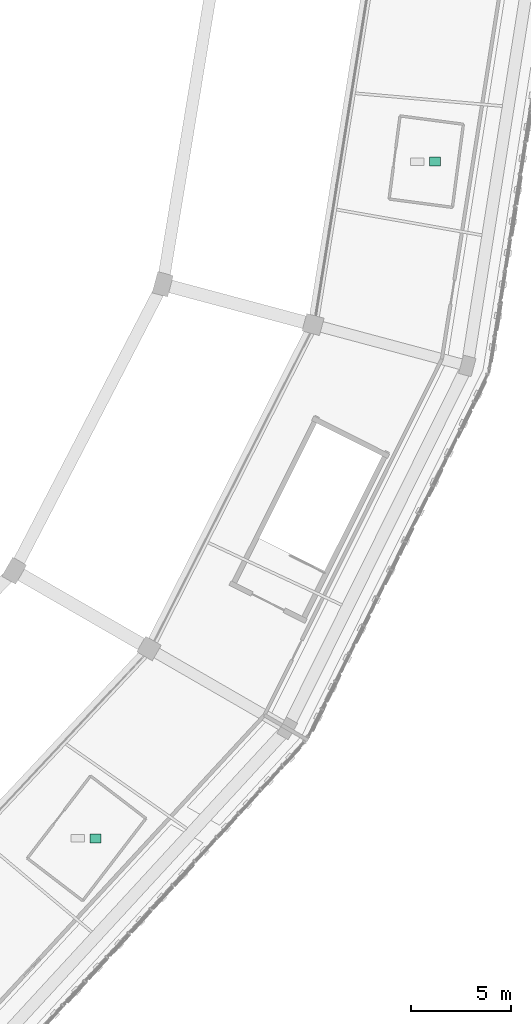
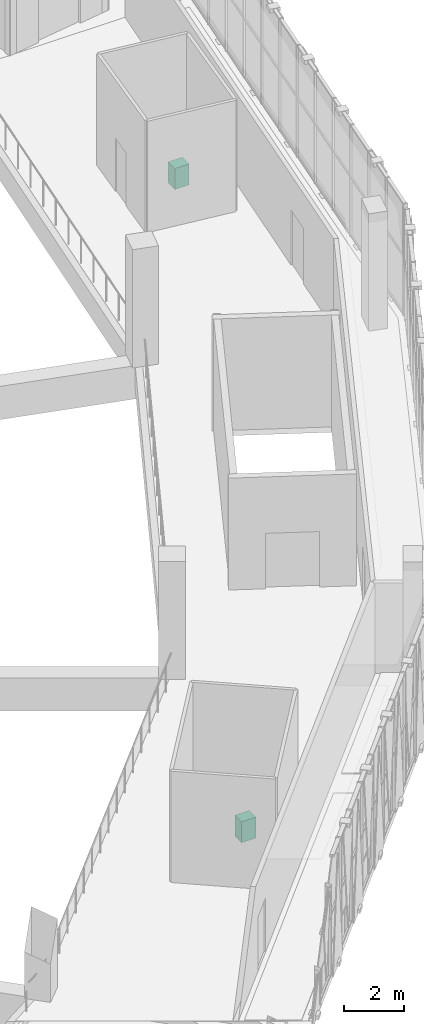
# One storey, part 106 of 108: 2 sanitary terminals.
"""IFC4 building model written with IfcOpenShell, lengths in metres."""

from ifc_helpers import new_model, si_unit, direction, frame, origin, origin_2d, place, context, subcontext, project, spatial, rectangle, extrude, material, type_object, element, save


model = new_model("IFC4")

# Units and contexts
model_context = context("Model", 3, precision=1e-05, world=origin(), true_north=direction((0.0, 1.0)))
body_context = subcontext(model_context, "Body", "Model", "MODEL_VIEW")
ifc_project = project(units=[si_unit("LENGTHUNIT", "METRE"), si_unit("AREAUNIT", "SQUARE_METRE"), si_unit("VOLUMEUNIT", "CUBIC_METRE"), si_unit("PLANEANGLEUNIT", "RADIAN"), si_unit("MASSUNIT", "GRAM", prefix="KILO")], contexts=[model_context])

# Site, building, storey
site_placement = place(None, origin())
site = spatial("IfcSite", under=ifc_project, at=site_placement, CompositionType="ELEMENT")
building_placement = place(site_placement, origin())
building = spatial("IfcBuilding", under=site, at=building_placement, Name="Zevraka Park Crest Stadium", CompositionType="ELEMENT")
storey_placement = place(building_placement, frame((0.0, 0.0, 19.800048828125)))
storey = spatial("IfcBuildingStorey", under=building, at=storey_placement, Name="L04", CompositionType="ELEMENT", Elevation=19.800048828125)

# Sanitary terminals
ifc_material = material(Name="Vitreous china sanitaryware", Category="other")
sanitary_terminal_type = type_object("IfcSanitaryTerminalType", Name="SAN02", PredefinedType="WASHHANDBASIN", material=ifc_material)
for number, where, z_axis, x_axis, name in (
    (1, (180.59912109375, 48.837890625, 0.0), (0.0, 0.0, 1.0), (1.0, 0.0, 0.0), "Washhand Basin L04-002"),
    (2, (197.614990234375, 82.74609375, 0.0), (0.0, 0.0, 1.0), (1.0, 0.0, 0.0), "Washhand Basin L04-003"),
):
    element("IfcSanitaryTerminal", number, at=place(storey_placement, frame(where, z_axis=z_axis, x_axis=x_axis)), inside=storey, type_object=sanitary_terminal_type, Name=name, PredefinedType="WASHHANDBASIN", context=body_context, shape_type="SweptSolid", body=[
        extrude(rectangle(XDim=0.550048828125, YDim=0.449951171875, at=origin_2d()), origin(), (0.0, 0.0, 1.0), 0.85009765625),
    ])

save(model, "model.ifc")
